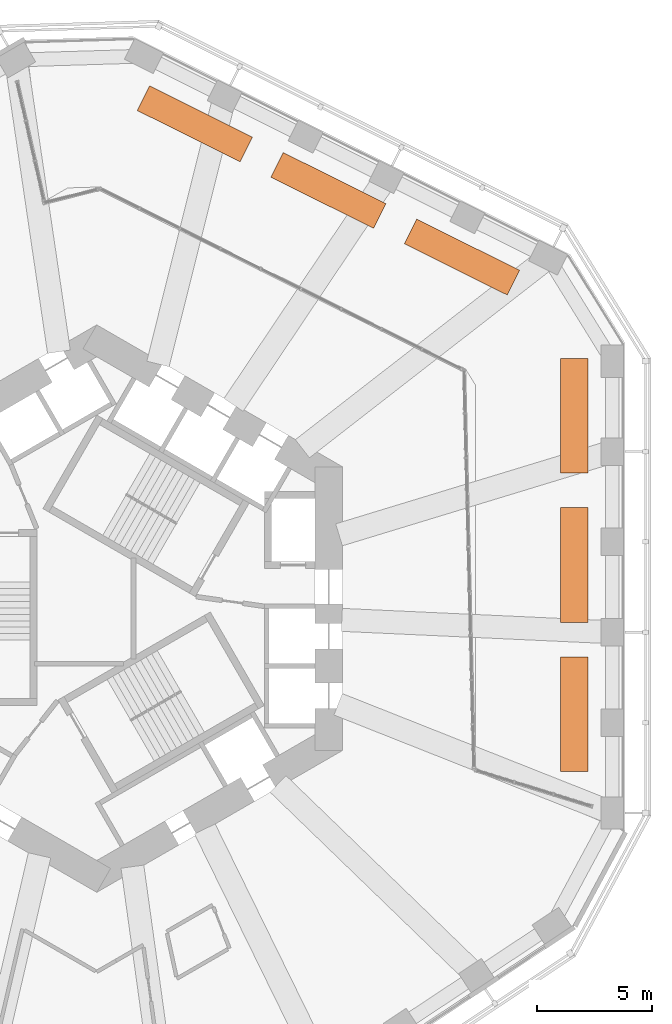
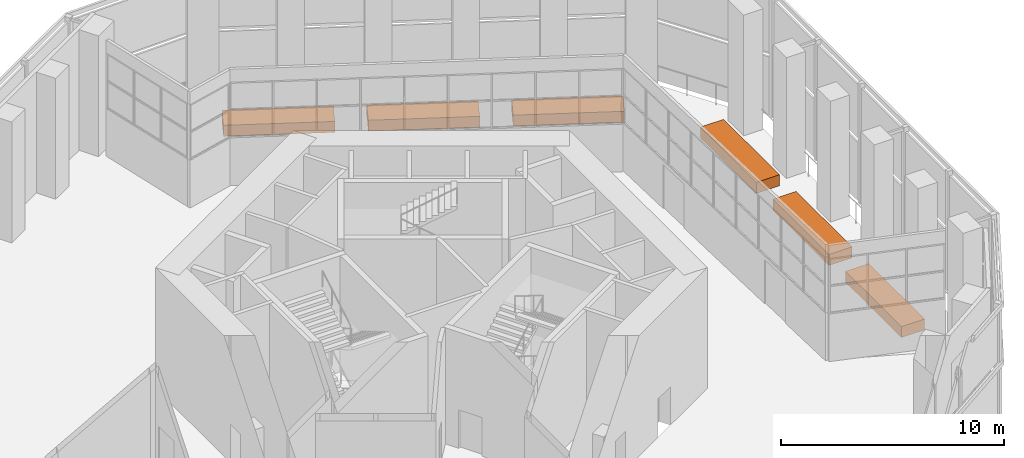
# One storey, part 17 of 17: 6 proxies.
"""IFC4 building model written with IfcOpenShell, lengths in metres."""

from ifc_helpers import new_model, si_unit, direction, frame, origin, origin_2d, place, context, subcontext, project, spatial, rectangle, extrude, material, type_object, element, save


model = new_model("IFC4")

# Units and contexts
model_context = context("Model", 3, precision=1e-05, world=origin(), true_north=direction((0.0, 1.0)))
body_context = subcontext(model_context, "Body", "Model", "MODEL_VIEW")
ifc_project = project(units=[si_unit("LENGTHUNIT", "METRE"), si_unit("AREAUNIT", "SQUARE_METRE"), si_unit("VOLUMEUNIT", "CUBIC_METRE"), si_unit("PLANEANGLEUNIT", "RADIAN"), si_unit("MASSUNIT", "GRAM", prefix="KILO")], contexts=[model_context])

# Site, building, storey
site_placement = place(None, origin())
site = spatial("IfcSite", under=ifc_project, at=site_placement, CompositionType="ELEMENT")
building_placement = place(site_placement, origin())
building = spatial("IfcBuilding", under=site, at=building_placement, Name="Vanh Sen Convention Tower", CompositionType="ELEMENT")
storey_placement = place(building_placement, frame((0.0, 0.0, 77.0)))
storey = spatial("IfcBuildingStorey", under=building, at=storey_placement, Name="L17", CompositionType="ELEMENT", Elevation=77.0)

# Proxies
ifc_material = material(Name="Planting bed (soil and planting)")
building_element_proxy_type = type_object("IfcBuildingElementProxyType", Name="Planting bed", PredefinedType="USERDEFINED", material=ifc_material)
for number, where, z_axis, x_axis, name in (
    (1, (20.800048828125, -4.59765625, 0.0), (0.0, 0.0, 1.0), (0.0, 1.0, 0.0), "Sky garden PLANTER P01 L17"),
    (2, (20.800048828125, 1.90234375, 0.0), (0.0, 0.0, 1.0), (0.0, 1.0, 0.0), "Sky garden PLANTER P02 L17"),
    (3, (20.800048828125, 8.40234375, 0.0), (0.0, 0.0, 1.0), (0.0, 1.0, 0.0), "Sky garden PLANTER P03 L17"),
    (4, (15.904541015625, 15.312255859375, 0.0), (0.0, 0.0, 1.0), (-0.894933582839, 0.446199375064, 0.0), "Sky garden PLANTER P04 L17"),
    (5, (10.08740234375, 18.21240234375, 0.0), (0.0, 0.0, 1.0), (-0.894933582839, 0.446199375064, 0.0), "Sky garden PLANTER P05 L17"),
    (6, (4.2705078125, 21.11279296875, 0.0), (0.0, 0.0, 1.0), (-0.894933582839, 0.446199375064, 0.0), "Sky garden PLANTER P06 L17"),
):
    element("IfcBuildingElementProxy", number, at=place(storey_placement, frame(where, z_axis=z_axis, x_axis=x_axis)), inside=storey, type_object=building_element_proxy_type, Name=name, ObjectType="PLANTER", PredefinedType="USERDEFINED", context=body_context, shape_type="SweptSolid", body=[
        extrude(rectangle(XDim=5.0, YDim=1.199951171875, at=origin_2d()), origin(), (0.0, 0.0, 1.0), 0.60009765625),
    ])

save(model, "model.ifc")
